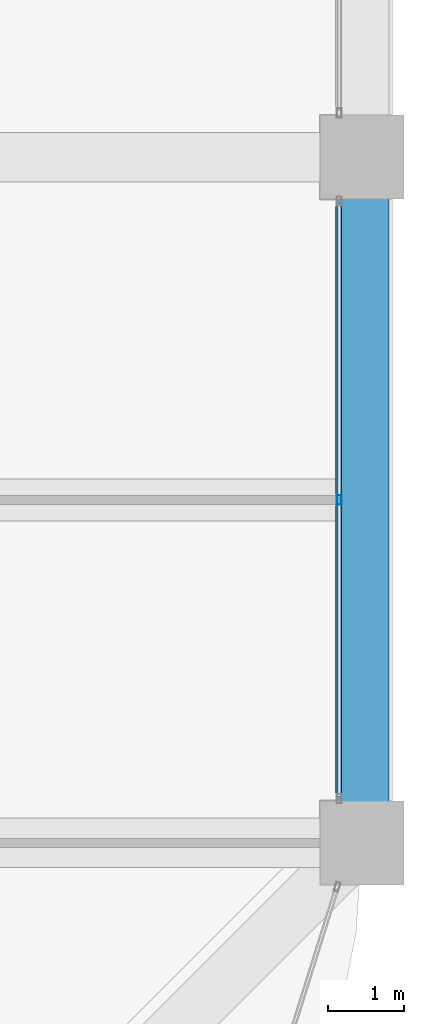
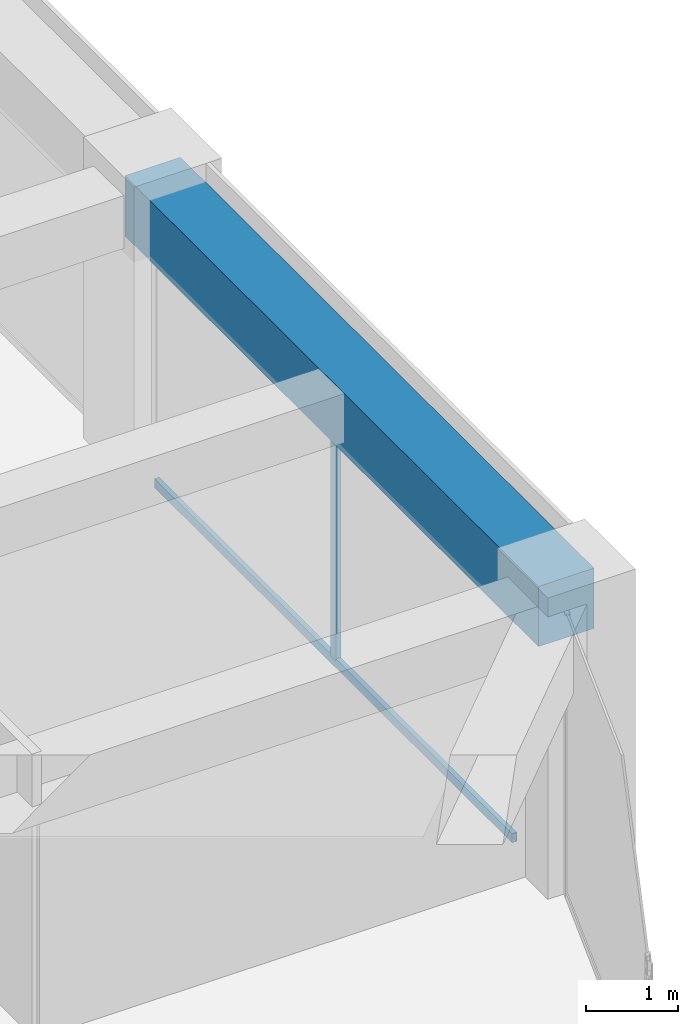
# One storey, part 23 of 44: 2 members, 1 beam, 1 element without a shape of its own.
"""IFC4 building model written with IfcOpenShell, lengths in metres."""

from ifc_helpers import new_model, si_unit, direction, frame, origin, origin_2d, place, context, subcontext, project, spatial, rectangle, hollow_rectangle, extrude, material, material_profile, profile_set, type_object, element, aggregate, save


model = new_model("IFC4")

# Units and contexts
model_context = context("Model", 3, precision=1e-05, world=origin(), true_north=direction((0.0, 1.0)))
body_context = subcontext(model_context, "Body", "Model", "MODEL_VIEW")
ifc_project = project(units=[si_unit("LENGTHUNIT", "METRE"), si_unit("AREAUNIT", "SQUARE_METRE"), si_unit("VOLUMEUNIT", "CUBIC_METRE"), si_unit("PLANEANGLEUNIT", "RADIAN"), si_unit("MASSUNIT", "GRAM", prefix="KILO")], contexts=[model_context])

# Site, building, storey
site_placement = place(None, origin())
site = spatial("IfcSite", under=ifc_project, at=site_placement, CompositionType="ELEMENT")
building_placement = place(site_placement, origin())
building = spatial("IfcBuilding", under=site, at=building_placement, Name="Zorevar Civic Tower", CompositionType="ELEMENT")
storey_placement = place(building_placement, frame((0.0, 0.0, 287.39990234375)))
storey = spatial("IfcBuildingStorey", under=building, at=storey_placement, Name="L70", CompositionType="ELEMENT", Elevation=287.39990234375)

# Curtain wall, members
ifc_material_1 = material(Name="Dark grey solar-control glass in black aluminium frame", Category="aluminium")
curtain_wall_type = type_object("IfcCurtainWallType", Name="Curtain wall CW5 top zone", PredefinedType="NOTDEFINED", material=ifc_material_1)
curtain_wall_placement = place(storey_placement, origin())
curtain_wall = element("IfcCurtainWall", 1, at=curtain_wall_placement, inside=storey, type_object=curtain_wall_type, Name="CW5 L70", PredefinedType="NOTDEFINED")
ifc_material_2 = material(Name="Aluminium, black anodised", Category="aluminium")
ifc_material_profile_1 = material_profile(ifc_material_2, hollow_rectangle(XDim=0.06005859375, YDim=0.1201171875, WallThickness=0.0029296875, at=origin_2d()), Name="AL 120x60x3")
ifc_profile_set_1 = profile_set([ifc_material_profile_1], Name="Aluminium, black anodised")
member_type_1 = type_object("IfcMemberType", Name="CW5 mullion AL 120x60x3", PredefinedType="MULLION", material=ifc_profile_set_1)
member_1_placement = place(storey_placement, frame((53.699951171875, 13.5, 0.06005859375), z_axis=(0.0, 0.0, 1.0), x_axis=(-1.0, 0.0, 0.0)))
member_1 = element("IfcMember", 2, at=member_1_placement, type_object=member_type_1, Name="CW5 mullion 2", PredefinedType="MULLION", context=body_context, shape_type="SweptSolid", body=[
    extrude(hollow_rectangle(XDim=0.06005859375, YDim=0.1201171875, WallThickness=0.0029296875, at=origin_2d()), origin(), (0.0, 0.0, 1.0), 2.89013671875),
])
ifc_material_3 = material(Name="Aluminium, black anodised", Category="aluminium")
ifc_material_profile_2 = material_profile(ifc_material_3, hollow_rectangle(XDim=0.06005859375, YDim=0.1201171875, WallThickness=0.0029296875, at=origin_2d()), Name="AL 120x60x3")
ifc_profile_set_2 = profile_set([ifc_material_profile_2], Name="Aluminium, black anodised")
member_type_2 = type_object("IfcMemberType", Name="CW5 transom AL 120x60x3", PredefinedType="USERDEFINED", material=ifc_profile_set_2)
member_2_placement = place(storey_placement, frame((53.699951171875, 9.610107421875, 0.030029296875), z_axis=(0.0, 1.0, 0.0), x_axis=(-1.0, 0.0, 0.0)))
member_2 = element("IfcMember", 3, at=member_2_placement, type_object=member_type_2, Name="CW5 sill transom", ObjectType="TRANSOM", PredefinedType="USERDEFINED", context=body_context, shape_type="SweptSolid", body=[
    extrude(hollow_rectangle(XDim=0.06005859375, YDim=0.1201171875, WallThickness=0.0029296875, at=origin_2d()), origin(), (0.0, 0.0, 1.0), 7.77978515625),
])
aggregate(curtain_wall, [member_1, member_2])

# Beam
ifc_material_4 = material(Name="Concrete C50/60", Category="concrete")
ifc_material_profile_3 = material_profile(ifc_material_4, rectangle(XDim=0.699951171875, YDim=0.800048828125, at=origin_2d()), Name="RC 700x800")
ifc_profile_set_3 = profile_set([ifc_material_profile_3], Name="Concrete C50/60")
beam_type = type_object("IfcBeamType", Name="Edge beam RC 700x800", PredefinedType="SPANDREL", material=ifc_profile_set_3)
beam_placement = place(storey_placement, frame((54.0, 9.0, 3.35009765625), z_axis=(0.0, 1.0, 0.0), x_axis=(-1.0, 0.0, 0.0)))
element("IfcBeam", 4, at=beam_placement, inside=storey, type_object=beam_type, Name="Edge beam L71", PredefinedType="SPANDREL", context=body_context, shape_type="SweptSolid", body=[
    extrude(rectangle(XDim=0.699951171875, YDim=0.800048828125, at=origin_2d()), origin(), (0.0, 0.0, 1.0), 9.0),
])

save(model, "model.ifc")
